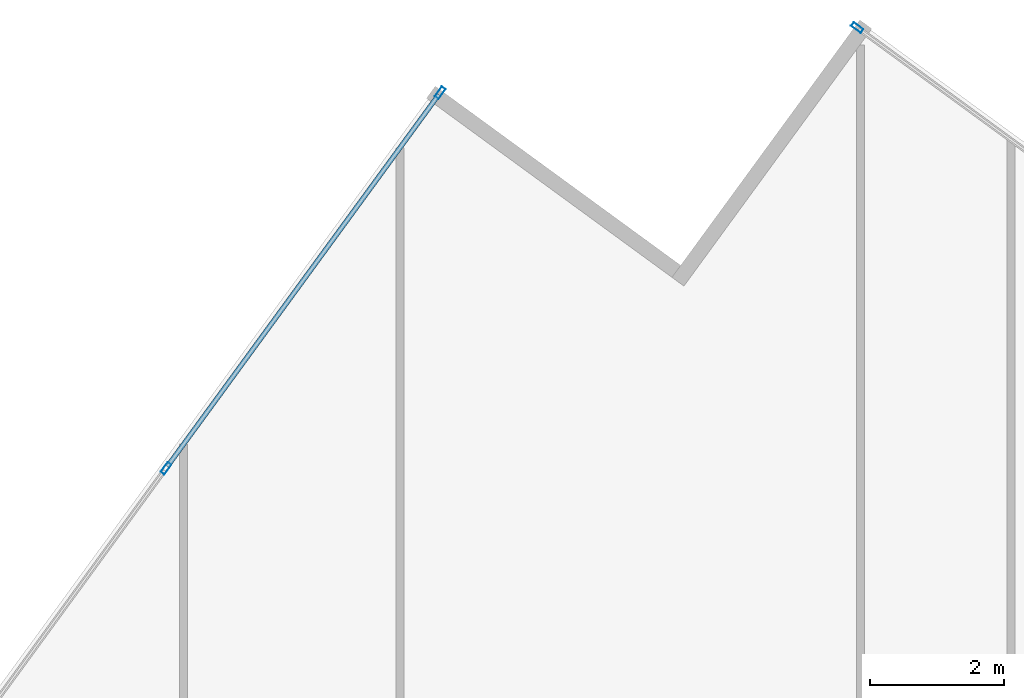
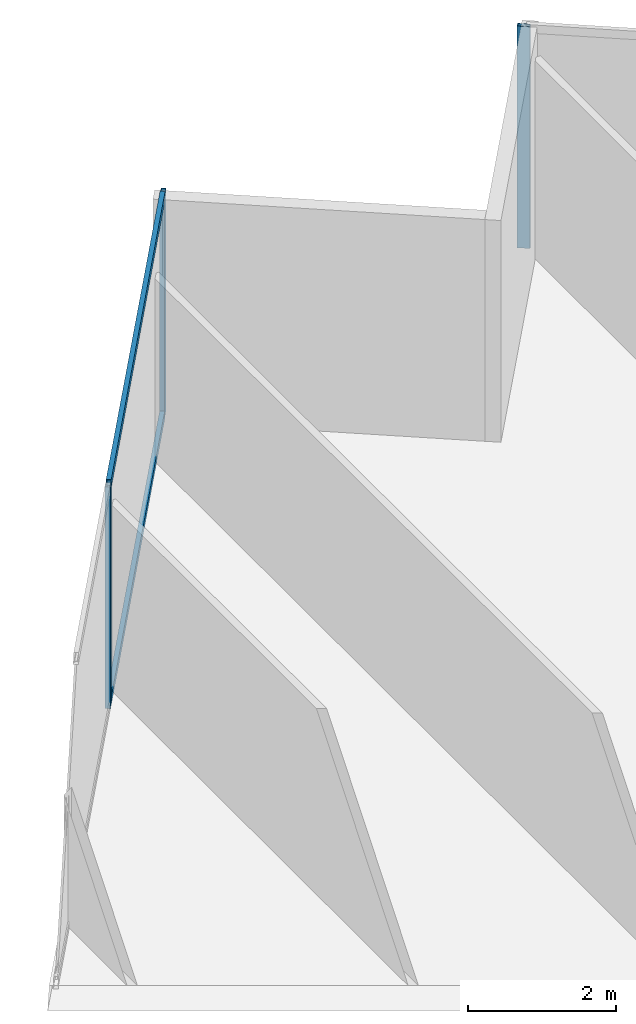
# One storey, part 15 of 25: 5 members, 2 elements without a shape of their own.
"""IFC4 building model written with IfcOpenShell, lengths in metres."""

from ifc_helpers import new_model, si_unit, direction, frame, origin, origin_2d, place, context, subcontext, project, spatial, hollow_rectangle, extrude, source, transform, mapped, material, material_profile, profile_set, type_object, type_shapes, element, aggregate, save


model = new_model("IFC4")

# Units and contexts
model_context = context("Model", 3, precision=1e-05, world=origin(), true_north=direction((0.0, 1.0)))
body_context = subcontext(model_context, "Body", "Model", "MODEL_VIEW")
ifc_project = project(units=[si_unit("LENGTHUNIT", "METRE"), si_unit("AREAUNIT", "SQUARE_METRE"), si_unit("VOLUMEUNIT", "CUBIC_METRE"), si_unit("PLANEANGLEUNIT", "RADIAN"), si_unit("MASSUNIT", "GRAM", prefix="KILO")], contexts=[model_context])

# Site, building, storey
site_placement = place(None, origin())
site = spatial("IfcSite", under=ifc_project, at=site_placement, CompositionType="ELEMENT")
building_placement = place(site_placement, origin())
building = spatial("IfcBuilding", under=site, at=building_placement, Name="Krantzveldt Concourse Tower", CompositionType="ELEMENT")
storey_placement = place(building_placement, frame((0.0, 0.0, 193.60009765625)))
storey = spatial("IfcBuildingStorey", under=building, at=storey_placement, Name="L47", CompositionType="ELEMENT", Elevation=193.60009765625)

# Curtain wall, members
ifc_material = material(Name="Anodised aluminium 6063-T6", Category="aluminium")
curtain_wall_type = type_object("IfcCurtainWallType", Name="CW3", PredefinedType="USERDEFINED", material=ifc_material)
curtain_wall_1_placement = place(storey_placement, origin())
curtain_wall_1 = element("IfcCurtainWall", 1, at=curtain_wall_1_placement, inside=storey, type_object=curtain_wall_type, Name="CW-L47-F01", ObjectType="UNITISED CURTAIN WALL", PredefinedType="USERDEFINED")
ifc_material_profile_1 = material_profile(ifc_material, hollow_rectangle(XDim=0.070068359375, YDim=0.179931640625, WallThickness=0.0048828125, at=origin_2d()), Name="Anodised aluminium 6063-T6", Category="aluminium")
ifc_profile_set_1 = profile_set([ifc_material_profile_1], Name="Anodised aluminium 6063-T6 - ALU-MULL 180x70x5")
member_type_1 = type_object("IfcMemberType", Name="CW-MUL-180", PredefinedType="MULLION", material=ifc_profile_set_1)
shared_shape_1 = source(origin(), body_context, "Body", "SweptSolid", [
    extrude(hollow_rectangle(XDim=0.070068359375, YDim=0.179931640625, WallThickness=0.0048828125, at=origin_2d()), origin(), (0.0, 0.0, 1.0), 3.669921875),
])
type_shapes(member_type_1, [shared_shape_1])
member_1_placement = place(storey_placement, frame((28.620849609375, 53.584228515625, 0.0), z_axis=(0.0, 0.0, 1.0), x_axis=(0.807732735781, -0.589548833895, 0.0)))
member_1 = element("IfcMember", 2, at=member_1_placement, type_object=member_type_1, Name="CW-Z34 mullion 1", PredefinedType="MULLION", context=body_context, shape_type="MappedRepresentation", body=[
    mapped(shared_shape_1, transform((0.0, 0.0, 0.0), x_axis=(1.0, 0.0, 0.0), y_axis=(0.0, 1.0, 0.0), z_axis=(0.0, 0.0, 1.0), scale=1.0)),
])
member_2_placement = place(storey_placement, frame((24.538330078125, 47.99072265625, 0.0), z_axis=(0.0, 0.0, 1.0), x_axis=(0.807732735781, -0.589548833895, 0.0)))
member_2 = element("IfcMember", 3, at=member_2_placement, type_object=member_type_1, Name="CW-Z34 mullion 2", PredefinedType="MULLION", context=body_context, shape_type="MappedRepresentation", body=[
    mapped(shared_shape_1, transform((0.0, 0.0, 0.0), x_axis=(1.0, 0.0, 0.0), y_axis=(0.0, 1.0, 0.0), z_axis=(0.0, 0.0, 1.0), scale=1.0)),
])

# Curtain wall, member
curtain_wall_2_placement = place(storey_placement, origin())
curtain_wall_2 = element("IfcCurtainWall", 4, at=curtain_wall_2_placement, inside=storey, type_object=curtain_wall_type, Name="CW-L47-F10", ObjectType="UNITISED CURTAIN WALL", PredefinedType="USERDEFINED")
member_3_placement = place(storey_placement, frame((34.831787109375, 54.55419921875, 0.0), z_axis=(0.0, 0.0, 1.0), x_axis=(-0.589548833895, -0.807732735781, 0.0)))
member_3 = element("IfcMember", 5, at=member_3_placement, type_object=member_type_1, Name="CW-Z34 mullion 6", PredefinedType="MULLION", context=body_context, shape_type="MappedRepresentation", body=[
    mapped(shared_shape_1, transform((0.0, 0.0, 0.0), x_axis=(1.0, 0.0, 0.0), y_axis=(0.0, 1.0, 0.0), z_axis=(0.0, 0.0, 1.0), scale=1.0)),
])
aggregate(curtain_wall_2, [member_3])

# Member
ifc_material_profile_2 = material_profile(ifc_material, hollow_rectangle(XDim=0.070068359375, YDim=0.139892578125, WallThickness=0.0048828125, at=origin_2d()), Name="Anodised aluminium 6063-T6", Category="aluminium")
ifc_profile_set_2 = profile_set([ifc_material_profile_2], Name="Anodised aluminium 6063-T6 - ALU-TRAN 140x70x5")
member_type_2 = type_object("IfcMemberType", Name="CW-TRN-150", PredefinedType="USERDEFINED", material=ifc_profile_set_2)
shared_shape_2 = source(origin(), body_context, "Body", "SweptSolid", [
    extrude(hollow_rectangle(XDim=0.070068359375, YDim=0.139892578125, WallThickness=0.0048828125, at=origin_2d()), origin(), (0.0, 0.0, 1.0), 6.855224609375),
])
type_shapes(member_type_2, [shared_shape_2])
member_4_placement = place(storey_placement, frame((28.600341796875, 53.55615234375, 0.034912109375), z_axis=(-0.589555742344, -0.80772769339, 0.0), x_axis=(0.80772769339, -0.589555742344, 0.0)))
member_4 = element("IfcMember", 6, at=member_4_placement, type_object=member_type_2, Name="CW-Z34 transom 1.1", ObjectType="TRANSOM", PredefinedType="USERDEFINED", context=body_context, shape_type="MappedRepresentation", body=[
    mapped(shared_shape_2, transform((0.0, 0.0, 0.0), x_axis=(1.0, 0.0, 0.0), y_axis=(0.0, 1.0, 0.0), z_axis=(0.0, 0.0, 1.0), scale=1.0)),
])

member_5_placement = place(storey_placement, frame((28.600341796875, 53.55615234375, 3.635009765625), z_axis=(-0.589555742344, -0.80772769339, 0.0), x_axis=(0.80772769339, -0.589555742344, 0.0)))
member_5 = element("IfcMember", 7, at=member_5_placement, type_object=member_type_2, Name="CW-Z34 transom 1.2", ObjectType="TRANSOM", PredefinedType="USERDEFINED", context=body_context, shape_type="MappedRepresentation", body=[
    mapped(shared_shape_2, transform((0.0, 0.0, 0.0), x_axis=(1.0, 0.0, 0.0), y_axis=(0.0, 1.0, 0.0), z_axis=(0.0, 0.0, 1.0), scale=1.0)),
])

aggregate(curtain_wall_1, [member_1, member_2, member_4, member_5])

save(model, "model.ifc")
